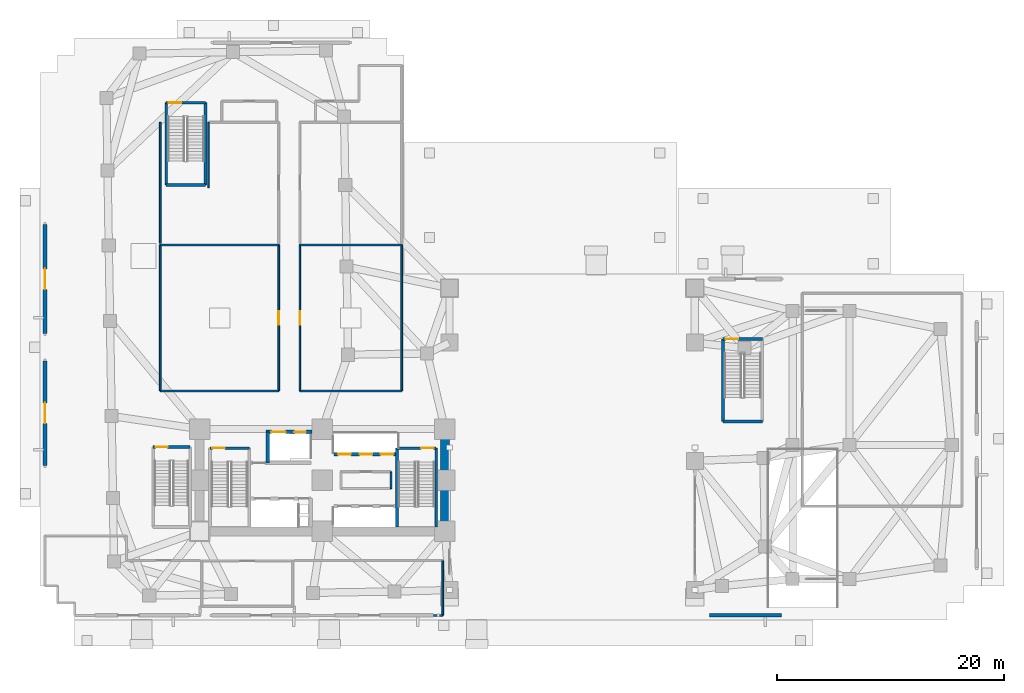
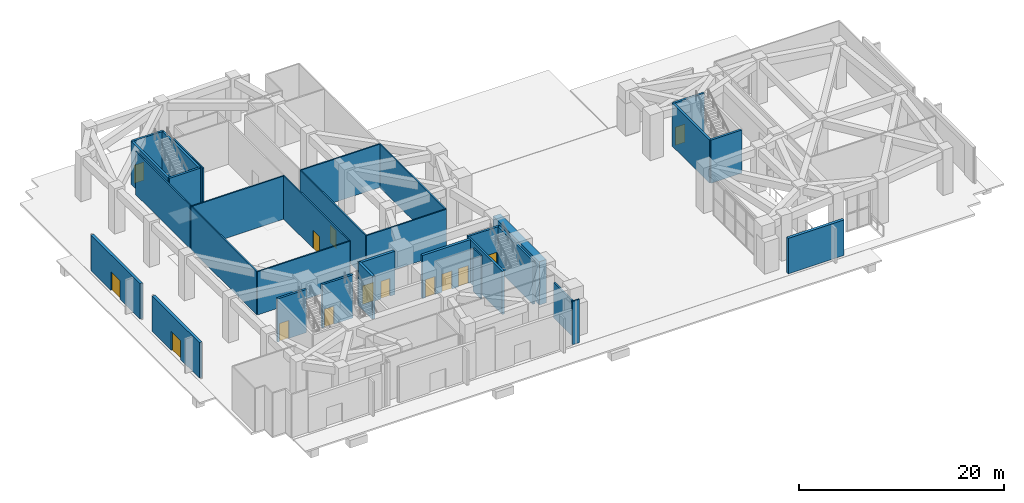
# One storey, part 11 of 19: 32 walls, 14 doors, 14 openings.
"""IFC4 building model written with IfcOpenShell, lengths in metres."""

from ifc_helpers import new_model, si_unit, direction, frame, frame_2d, origin, place, context, subcontext, project, spatial, rectangle, extrude, material, layer, layer_set, type_object, element, fill, save


model = new_model("IFC4")

# Units and contexts
model_context = context("Model", 3, precision=1e-05, world=origin(), true_north=direction((0.0, 1.0)))
body_context = subcontext(model_context, "Body", "Model", "MODEL_VIEW")
ifc_project = project(units=[si_unit("LENGTHUNIT", "METRE"), si_unit("AREAUNIT", "SQUARE_METRE"), si_unit("VOLUMEUNIT", "CUBIC_METRE"), si_unit("PLANEANGLEUNIT", "RADIAN"), si_unit("MASSUNIT", "GRAM", prefix="KILO")], contexts=[model_context])

# Site, building, storey
site_placement = place(None, origin())
site = spatial("IfcSite", under=ifc_project, at=site_placement, CompositionType="ELEMENT")
building_placement = place(site_placement, origin())
building = spatial("IfcBuilding", under=site, at=building_placement, Name="Gaonmaruhae Medical Tower", CompositionType="ELEMENT")
storey_placement = place(building_placement, origin())
storey = spatial("IfcBuildingStorey", under=building, at=storey_placement, Name="L00", CompositionType="ELEMENT", Elevation=0.0)

# Walls
ifc_material_1 = material(Name="Concrete C60/75", Category="concrete")
ifc_layer_1 = layer(ifc_material_1, 0.800048828125)
ifc_layer_set_1 = layer_set([ifc_layer_1], Name="Concrete C60/75")
wall_type_1 = type_object("IfcWallType", Name="CW-800 Lower Core Shear Wall", PredefinedType="SHEAR", material=ifc_layer_set_1)
wall_1_placement = place(storey_placement, frame((35.60009765625, 7.800048828125, 0.0), z_axis=(0.0, 0.0, 1.0), x_axis=(0.0, 1.0, 0.0)))
element("IfcWall", 1, at=wall_1_placement, inside=storey, type_object=wall_type_1, Name="L00 Core Shear Wall CSW-E1", PredefinedType="SHEAR", context=body_context, shape_type="SweptSolid", body=[
    extrude(rectangle(XDim=9.0, YDim=0.800048828125, at=frame_2d((4.5, 0.0))), origin(), (0.0, 0.0, 1.0), 5.14990234375),
])
ifc_material_2 = material(Name="Precast concrete C45/55", Category="concrete")
ifc_layer_2 = layer(ifc_material_2, 0.320068359375)
ifc_layer_set_2 = layer_set([ifc_layer_2], Name="Precast concrete C45/55")
wall_type_2 = type_object("IfcWallType", Name="EW-320 Lower Precast Masonry-Frame Facade Wall", PredefinedType="SOLIDWALL", material=ifc_layer_set_2)
wall_2_placement = place(storey_placement, frame((65.199951171875, 0.39990234375, 0.0), z_axis=(0.0, 0.0, 1.0), x_axis=(-1.0, 0.0, 0.0)))
element("IfcWall", 2, at=wall_2_placement, inside=storey, type_object=wall_type_2, Name="L00 Precast Facade Wall PB-S4", PredefinedType="SOLIDWALL", context=body_context, shape_type="SweptSolid", body=[
    extrude(rectangle(XDim=6.300048828125, YDim=0.320068359375, at=frame_2d((3.14990234375, 0.0))), origin(), (0.0, 0.0, 1.0), 4.22998046875),
])

# Wall, opening, door
wall_3_placement = place(storey_placement, frame((0.39990234375, 13.60009765625, 0.0), z_axis=(0.0, 0.0, 1.0), x_axis=(0.0, 1.0, 0.0)))
wall_3 = element("IfcWall", 3, at=wall_3_placement, inside=storey, type_object=wall_type_2, Name="L00 Precast Facade Wall PB-W1", PredefinedType="SOLIDWALL", context=body_context, shape_type="SweptSolid", body=[
    extrude(rectangle(XDim=9.199951171875, YDim=0.320068359375, at=frame_2d((4.60009765625, 0.0))), origin(), (0.0, 0.0, 1.0), 4.22998046875),
])
opening_1_placement = place(wall_3_placement, frame((3.699951171875, 0.0, 0.0)))
opening_1 = element("IfcOpeningElement", 4, at=opening_1_placement, cuts=wall_3, Name="Opening EX-D1", PredefinedType="OPENING", context=body_context, shape_type="SweptSolid", body=[
    extrude(rectangle(XDim=1.800048828125, YDim=2.25, at=frame_2d((0.89990234375, 1.125))), frame((0.0, 0.169921875, 0.0), z_axis=(0.0, -1.0, 0.0), x_axis=(1.0, 0.0, 0.0)), (0.0, 0.0, 1.0), 0.340087890625),
])
ifc_material_3 = material(Name="Anodised aluminium and toughened safety glass", Category="aluminium")
door_type_1 = type_object("IfcDoorType", Name="EX-D1 Ground Final Exit Double Door 1800x2250", OperationType="NOTDEFINED", PredefinedType="DOOR", material=ifc_material_3)
door_1_placement = place(opening_1_placement, origin())
door_1 = element("IfcDoor", 5, at=door_1_placement, inside=storey, type_object=door_type_1, Name="L00 Final Pedestrian Exit Door EX-05", OperationType="DOUBLE_DOOR_SINGLE_SWING", OverallHeight=2.25, OverallWidth=1.800048828125, PredefinedType="DOOR", context=body_context, shape_type="SweptSolid", body=[
    extrude(rectangle(XDim=1.800048828125, YDim=2.25, at=frame_2d((0.89990234375, 1.125))), frame((0.0, 0.02490234375, 0.0), z_axis=(0.0, -1.0, 0.0), x_axis=(1.0, 0.0, 0.0)), (0.0, 0.0, 1.0), 0.050048828125),
])
fill(opening_1, door_1)

wall_4_placement = place(storey_placement, frame((0.39990234375, 25.199951171875, 0.0), z_axis=(0.0, 0.0, 1.0), x_axis=(0.0, 1.0, 0.0)))
wall_4 = element("IfcWall", 6, at=wall_4_placement, inside=storey, type_object=wall_type_2, Name="L00 Precast Facade Wall PB-W2", PredefinedType="SOLIDWALL", context=body_context, shape_type="SweptSolid", body=[
    extrude(rectangle(XDim=9.60009765625, YDim=0.320068359375, at=frame_2d((4.800048828125, 0.0))), origin(), (0.0, 0.0, 1.0), 4.22998046875),
])
opening_2_placement = place(wall_4_placement, frame((3.89990234375, 0.0, 0.0)))
opening_2 = element("IfcOpeningElement", 7, at=opening_2_placement, cuts=wall_4, Name="Opening EX-D1", PredefinedType="OPENING", context=body_context, shape_type="SweptSolid", body=[
    extrude(rectangle(XDim=1.800048828125, YDim=2.25, at=frame_2d((0.89990234375, 1.125))), frame((0.0, 0.169921875, 0.0), z_axis=(0.0, -1.0, 0.0), x_axis=(1.0, 0.0, 0.0)), (0.0, 0.0, 1.0), 0.340087890625),
])
door_2_placement = place(opening_2_placement, origin())
door_2 = element("IfcDoor", 8, at=door_2_placement, inside=storey, type_object=door_type_1, Name="L00 Final Pedestrian Exit Door EX-06", OperationType="DOUBLE_DOOR_SINGLE_SWING", OverallHeight=2.25, OverallWidth=1.800048828125, PredefinedType="DOOR", context=body_context, shape_type="SweptSolid", body=[
    extrude(rectangle(XDim=1.800048828125, YDim=2.25, at=frame_2d((0.89990234375, 1.125))), frame((0.0, 0.02490234375, 0.0), z_axis=(0.0, -1.0, 0.0), x_axis=(1.0, 0.0, 0.0)), (0.0, 0.0, 1.0), 0.050048828125),
])
fill(opening_2, door_2)

# Walls
ifc_material_4 = material(Name="Gypsum board partition", Category="gypsum")
ifc_layer_3 = layer(ifc_material_4, 0.14990234375)
ifc_layer_set_3 = layer_set([ifc_layer_3], Name="Gypsum board partition")
wall_type_3 = type_object("IfcWallType", Name="PW-150 Rated Clinical Corridor Partition", PredefinedType="PARTITIONING", material=ifc_layer_set_3)
wall_5_placement = place(storey_placement, frame((30.85009765625, 13.0400390625, 0.0), z_axis=(0.0, 0.0, 1.0), x_axis=(0.0, -1.0, 0.0)))
element("IfcWall", 9, at=wall_5_placement, inside=storey, type_object=wall_type_3, Name="L00 Interior Partition L00-CS1-3", PredefinedType="PARTITIONING", context=body_context, shape_type="SweptSolid", body=[
    extrude(rectangle(XDim=1.47998046875, YDim=0.14990234375, at=frame_2d((0.739990234375, 0.0))), origin(), (0.0, 0.0, 1.0), 5.14990234375),
])
wall_6_placement = place(storey_placement, frame((35.39990234375, 0.39990234375, 0.0), z_axis=(0.0, 0.0, 1.0), x_axis=(-1.0, 0.0, 0.0)))
element("IfcWall", 10, at=wall_6_placement, inside=storey, type_object=wall_type_3, Name="L00 Interior Partition L00-TRG-20", PredefinedType="PARTITIONING", context=body_context, shape_type="SweptSolid", body=[
    extrude(rectangle(XDim=0.7998046875, YDim=0.14990234375, at=frame_2d((0.39990234375, 0.0))), origin(), (0.0, 0.0, 1.0), 5.14990234375),
])
wall_7_placement = place(storey_placement, frame((35.39990234375, 5.219970703125, 0.0), z_axis=(0.0, 0.0, 1.0), x_axis=(0.0, -1.0, 0.0)))
element("IfcWall", 11, at=wall_7_placement, inside=storey, type_object=wall_type_3, Name="L00 Interior Partition L00-TRG-24", PredefinedType="PARTITIONING", context=body_context, shape_type="SweptSolid", body=[
    extrude(rectangle(XDim=4.820068359375, YDim=0.14990234375, at=frame_2d((2.41015625, 0.0))), origin(), (0.0, 0.0, 1.0), 4.235107421875),
])
wall_8_placement = place(storey_placement, frame((10.550048828125, 20.14990234375, 0.0), z_axis=(0.0, 0.0, 1.0), x_axis=(0.0, 1.0, 0.0)))
element("IfcWall", 12, at=wall_8_placement, inside=storey, type_object=wall_type_3, Name="L00 Interior Partition L00-ADM-25", PredefinedType="PARTITIONING", context=body_context, shape_type="SweptSolid", body=[
    extrude(rectangle(XDim=12.85009765625, YDim=0.14990234375, at=frame_2d((6.425048828125, 0.0))), origin(), (0.0, 0.0, 1.0), 5.14990234375),
])
wall_9_placement = place(storey_placement, frame((10.550048828125, 33.0, 0.0), z_axis=(0.0, 0.0, 1.0), x_axis=(1.0, 0.0, 0.0)))
element("IfcWall", 13, at=wall_9_placement, inside=storey, type_object=wall_type_3, Name="L00 Interior Partition L00-ADM-26", PredefinedType="PARTITIONING", context=body_context, shape_type="SweptSolid", body=[
    extrude(rectangle(XDim=10.419921875, YDim=0.14990234375, at=frame_2d((5.2099609375, 0.0))), origin(), (0.0, 0.0, 1.0), 5.14990234375),
])

# Wall, opening, door
wall_10_placement = place(storey_placement, frame((20.969970703125, 33.0, 0.0), z_axis=(0.0, 0.0, 1.0), x_axis=(0.0, -1.0, 0.0)))
wall_10 = element("IfcWall", 14, at=wall_10_placement, inside=storey, type_object=wall_type_3, Name="L00 Interior Partition L00-ADM-27", PredefinedType="PARTITIONING", context=body_context, shape_type="SweptSolid", body=[
    extrude(rectangle(XDim=12.85009765625, YDim=0.14990234375, at=frame_2d((6.425048828125, 0.0))), origin(), (0.0, 0.0, 1.0), 5.14990234375),
])
opening_3_placement = place(wall_10_placement, frame((5.824951171875, 0.0, 0.0)))
opening_3 = element("IfcOpeningElement", 15, at=opening_3_placement, cuts=wall_10, Name="Opening CD-02", PredefinedType="OPENING", context=body_context, shape_type="SweptSolid", body=[
    extrude(rectangle(XDim=1.199951171875, YDim=2.14990234375, at=frame_2d((0.60009765625, 1.074951171875))), frame((0.0, 0.0849609375, 0.0), z_axis=(0.0, -1.0, 0.0), x_axis=(1.0, 0.0, 0.0)), (0.0, 0.0, 1.0), 0.169921875),
])
ifc_material_5 = material(Name="Antimicrobial laminate timber fire door", Category="wood")
door_type_2 = type_object("IfcDoorType", Name="CD-02 Clinical Treatment & Procedure Door 1200x2150", OperationType="NOTDEFINED", PredefinedType="DOOR", material=ifc_material_5)
door_3_placement = place(opening_3_placement, origin())
door_3 = element("IfcDoor", 16, at=door_3_placement, inside=storey, type_object=door_type_2, Name="L00 Main Hospital Registration Hall Door", OperationType="SINGLE_SWING_RIGHT", OverallHeight=2.14990234375, OverallWidth=1.199951171875, PredefinedType="DOOR", context=body_context, shape_type="SweptSolid", body=[
    extrude(rectangle(XDim=1.199951171875, YDim=2.14990234375, at=frame_2d((0.60009765625, 1.074951171875))), frame((0.0, 0.02490234375, 0.0), z_axis=(0.0, -1.0, 0.0), x_axis=(1.0, 0.0, 0.0)), (0.0, 0.0, 1.0), 0.050048828125),
])
fill(opening_3, door_3)

# Walls
wall_11_placement = place(storey_placement, frame((20.969970703125, 20.14990234375, 0.0), z_axis=(0.0, 0.0, 1.0), x_axis=(-1.0, 0.0, 0.0)))
element("IfcWall", 17, at=wall_11_placement, inside=storey, type_object=wall_type_3, Name="L00 Interior Partition L00-ADM-28", PredefinedType="PARTITIONING", context=body_context, shape_type="SweptSolid", body=[
    extrude(rectangle(XDim=10.419921875, YDim=0.14990234375, at=frame_2d((5.2099609375, 0.0))), origin(), (0.0, 0.0, 1.0), 5.14990234375),
])
wall_12_placement = place(storey_placement, frame((31.800048828125, 33.0, 0.0), z_axis=(0.0, 0.0, 1.0), x_axis=(0.0, -1.0, 0.0)))
element("IfcWall", 18, at=wall_12_placement, inside=storey, type_object=wall_type_3, Name="L00 Interior Partition L00-PHR-29", PredefinedType="PARTITIONING", context=body_context, shape_type="SweptSolid", body=[
    extrude(rectangle(XDim=12.85009765625, YDim=0.14990234375, at=frame_2d((6.425048828125, 0.0))), origin(), (0.0, 0.0, 1.0), 5.14990234375),
])
wall_13_placement = place(storey_placement, frame((31.800048828125, 20.14990234375, 0.0), z_axis=(0.0, 0.0, 1.0), x_axis=(-1.0, 0.0, 0.0)))
element("IfcWall", 19, at=wall_13_placement, inside=storey, type_object=wall_type_3, Name="L00 Interior Partition L00-PHR-30", PredefinedType="PARTITIONING", context=body_context, shape_type="SweptSolid", body=[
    extrude(rectangle(XDim=8.969970703125, YDim=0.14990234375, at=frame_2d((4.48486328125, 0.0))), origin(), (0.0, 0.0, 1.0), 5.14990234375),
])

# Wall, opening, door
wall_14_placement = place(storey_placement, frame((22.830078125, 20.14990234375, 0.0), z_axis=(0.0, 0.0, 1.0), x_axis=(0.0, 1.0, 0.0)))
wall_14 = element("IfcWall", 20, at=wall_14_placement, inside=storey, type_object=wall_type_3, Name="L00 Interior Partition L00-PHR-31", PredefinedType="PARTITIONING", context=body_context, shape_type="SweptSolid", body=[
    extrude(rectangle(XDim=12.85009765625, YDim=0.14990234375, at=frame_2d((6.425048828125, 0.0))), origin(), (0.0, 0.0, 1.0), 5.14990234375),
])
opening_4_placement = place(wall_14_placement, frame((5.824951171875, 0.0, 0.0)))
opening_4 = element("IfcOpeningElement", 21, at=opening_4_placement, cuts=wall_14, Name="Opening CD-02", PredefinedType="OPENING", context=body_context, shape_type="SweptSolid", body=[
    extrude(rectangle(XDim=1.199951171875, YDim=2.14990234375, at=frame_2d((0.60009765625, 1.074951171875))), frame((0.0, 0.0849609375, 0.0), z_axis=(0.0, -1.0, 0.0), x_axis=(1.0, 0.0, 0.0)), (0.0, 0.0, 1.0), 0.169921875),
])
door_4_placement = place(opening_4_placement, origin())
door_4 = element("IfcDoor", 22, at=door_4_placement, inside=storey, type_object=door_type_2, Name="L00 Outpatient Dispensing Pharmacy Suite Door", OperationType="SINGLE_SWING_LEFT", OverallHeight=2.14990234375, OverallWidth=1.199951171875, PredefinedType="DOOR", context=body_context, shape_type="SweptSolid", body=[
    extrude(rectangle(XDim=1.199951171875, YDim=2.14990234375, at=frame_2d((0.60009765625, 1.074951171875))), frame((0.0, 0.02490234375, 0.0), z_axis=(0.0, -1.0, 0.0), x_axis=(1.0, 0.0, 0.0)), (0.0, 0.0, 1.0), 0.050048828125),
])
fill(opening_4, door_4)

# Walls
wall_15_placement = place(storey_placement, frame((22.830078125, 33.0, 0.0), z_axis=(0.0, 0.0, 1.0), x_axis=(1.0, 0.0, 0.0)))
element("IfcWall", 23, at=wall_15_placement, inside=storey, type_object=wall_type_3, Name="L00 Interior Partition L00-PHR-32", PredefinedType="PARTITIONING", context=body_context, shape_type="SweptSolid", body=[
    extrude(rectangle(XDim=8.969970703125, YDim=0.14990234375, at=frame_2d((4.48486328125, 0.0))), origin(), (0.0, 0.0, 1.0), 5.14990234375),
])
wall_16_placement = place(storey_placement, frame((10.550048828125, 33.14990234375, 0.0), z_axis=(0.0, 0.0, 1.0), x_axis=(0.0, 1.0, 0.0)))
element("IfcWall", 24, at=wall_16_placement, inside=storey, type_object=wall_type_3, Name="L00 Interior Partition L00-OBS1-33", PredefinedType="PARTITIONING", context=body_context, shape_type="SweptSolid", body=[
    extrude(rectangle(XDim=10.650146484375, YDim=0.14990234375, at=frame_2d((5.3251953125, 0.0))), origin(), (0.0, 0.0, 1.0), 5.14990234375),
])
wall_17_placement = place(storey_placement, frame((14.800048828125, 38.050048828125, 0.0), z_axis=(0.0, 0.0, 1.0), x_axis=(0.0, 1.0, 0.0)))
element("IfcWall", 25, at=wall_17_placement, inside=storey, type_object=wall_type_3, Name="L00 Interior Partition L00-OBS1-34", PredefinedType="PARTITIONING", context=body_context, shape_type="SweptSolid", body=[
    extrude(rectangle(XDim=5.75, YDim=0.14990234375, at=frame_2d((2.875, 0.0))), origin(), (0.0, 0.0, 1.0), 5.14990234375),
])

# Wall, opening, door
ifc_material_6 = material(Name="Concrete C50/60", Category="concrete")
ifc_layer_4 = layer(ifc_material_6, 0.239990234375)
ifc_layer_set_4 = layer_set([ifc_layer_4], Name="Concrete C50/60")
wall_type_4 = type_object("IfcWallType", Name="SW-240 Dogleg Stair Tight Shaft Wall", PredefinedType="SOLIDWALL", material=ifc_layer_set_4)
wall_18_placement = place(storey_placement, frame((14.919921875, 15.1201171875, 0.0), z_axis=(0.0, 0.0, 1.0), x_axis=(1.0, 0.0, 0.0)))
wall_18 = element("IfcWall", 26, at=wall_18_placement, inside=storey, type_object=wall_type_4, Name="L00 ST-01 Stair Shaft Wall SHW-ST-01-N", PredefinedType="SOLIDWALL", context=body_context, shape_type="SweptSolid", body=[
    extrude(rectangle(XDim=3.4599609375, YDim=0.239990234375, at=frame_2d((1.72998046875, 0.0))), origin(), (0.0, 0.0, 1.0), 5.14990234375),
])
opening_5_placement = place(wall_18_placement, frame((0.219970703125, 0.0, 0.0)))
opening_5 = element("IfcOpeningElement", 27, at=opening_5_placement, cuts=wall_18, Name="Opening FD-01", PredefinedType="OPENING", context=body_context, shape_type="SweptSolid", body=[
    extrude(rectangle(XDim=1.10009765625, YDim=2.14990234375, at=frame_2d((0.550048828125, 1.074951171875))), frame((0.0, 0.1298828125, 0.0), z_axis=(0.0, -1.0, 0.0), x_axis=(1.0, 0.0, 0.0)), (0.0, 0.0, 1.0), 0.260009765625),
])
ifc_material_7 = material(Name="Powder-coated steel fire door", Category="steel")
door_type_3 = type_object("IfcDoorType", Name="FD-01 Escape Stair Protected Fire Door 1100x2150", OperationType="NOTDEFINED", PredefinedType="DOOR", material=ifc_material_7)
door_5_placement = place(opening_5_placement, origin())
door_5 = element("IfcDoor", 28, at=door_5_placement, inside=storey, type_object=door_type_3, Name="L00 ST-01 Protected Escape Stair Door", OperationType="SINGLE_SWING_RIGHT", OverallHeight=2.14990234375, OverallWidth=1.10009765625, PredefinedType="DOOR", context=body_context, shape_type="SweptSolid", body=[
    extrude(rectangle(XDim=1.10009765625, YDim=2.14990234375, at=frame_2d((0.550048828125, 1.074951171875))), frame((0.0, 0.02490234375, 0.0), z_axis=(0.0, -1.0, 0.0), x_axis=(1.0, 0.0, 0.0)), (0.0, 0.0, 1.0), 0.050048828125),
])
fill(opening_5, door_5)

wall_19_placement = place(storey_placement, frame((31.3701171875, 15.1201171875, 0.0), z_axis=(0.0, 0.0, 1.0), x_axis=(1.0, 0.0, 0.0)))
wall_19 = element("IfcWall", 29, at=wall_19_placement, inside=storey, type_object=wall_type_4, Name="L00 ST-02 Stair Shaft Wall SHW-ST-02-N", PredefinedType="SOLIDWALL", context=body_context, shape_type="SweptSolid", body=[
    extrude(rectangle(XDim=3.4599609375, YDim=0.239990234375, at=frame_2d((1.72998046875, 0.0))), origin(), (0.0, 0.0, 1.0), 5.14990234375),
])
opening_6_placement = place(wall_19_placement, frame((2.139892578125, 0.0, 0.0)))
opening_6 = element("IfcOpeningElement", 30, at=opening_6_placement, cuts=wall_19, Name="Opening FD-01", PredefinedType="OPENING", context=body_context, shape_type="SweptSolid", body=[
    extrude(rectangle(XDim=1.10009765625, YDim=2.14990234375, at=frame_2d((0.550048828125, 1.074951171875))), frame((0.0, 0.1298828125, 0.0), z_axis=(0.0, -1.0, 0.0), x_axis=(1.0, 0.0, 0.0)), (0.0, 0.0, 1.0), 0.260009765625),
])
door_6_placement = place(opening_6_placement, origin())
door_6 = element("IfcDoor", 31, at=door_6_placement, inside=storey, type_object=door_type_3, Name="L00 ST-02 Protected Escape Stair Door", OperationType="SINGLE_SWING_LEFT", OverallHeight=2.14990234375, OverallWidth=1.10009765625, PredefinedType="DOOR", context=body_context, shape_type="SweptSolid", body=[
    extrude(rectangle(XDim=1.10009765625, YDim=2.14990234375, at=frame_2d((0.550048828125, 1.074951171875))), frame((0.0, 0.02490234375, 0.0), z_axis=(0.0, -1.0, 0.0), x_axis=(1.0, 0.0, 0.0)), (0.0, 0.0, 1.0), 0.050048828125),
])
fill(opening_6, door_6)

# Walls
for number, where, z_axis, x_axis, name in (
    (32, (34.830078125, 15.1201171875, 0.0), (0.0, 0.0, 1.0), (0.0, -1.0, 0.0), "L00 ST-02 Stair Shaft Wall SHW-ST-02-E"),
    (33, (31.3701171875, 8.199951171875, 0.0), (0.0, 0.0, 1.0), (0.0, 1.0, 0.0), "L00 ST-02 Stair Shaft Wall SHW-ST-02-W"),
):
    element("IfcWall", number, at=place(storey_placement, frame(where, z_axis=z_axis, x_axis=x_axis)), inside=storey, type_object=wall_type_4, Name=name, PredefinedType="SOLIDWALL", context=body_context, shape_type="SweptSolid", body=[
        extrude(rectangle(XDim=6.920166015625, YDim=0.239990234375, at=frame_2d((3.4599609375, 0.0))), origin(), (0.0, 0.0, 1.0), 5.14990234375),
    ])

# Wall, opening, door
wall_20_placement = place(storey_placement, frame((9.919921875, 15.219970703125, 0.0), z_axis=(0.0, 0.0, 1.0), x_axis=(1.0, 0.0, 0.0)))
wall_20 = element("IfcWall", 34, at=wall_20_placement, inside=storey, type_object=wall_type_4, Name="L00 ST-03 Stair Shaft Wall SHW-ST-03-N", PredefinedType="SOLIDWALL", context=body_context, shape_type="SweptSolid", body=[
    extrude(rectangle(XDim=3.260009765625, YDim=0.239990234375, at=frame_2d((1.6298828125, 0.0))), origin(), (0.0, 0.0, 1.0), 5.14990234375),
])
opening_7_placement = place(wall_20_placement, frame((0.219970703125, 0.0, 0.0)))
opening_7 = element("IfcOpeningElement", 35, at=opening_7_placement, cuts=wall_20, Name="Opening FD-02", PredefinedType="OPENING", context=body_context, shape_type="SweptSolid", body=[
    extrude(rectangle(XDim=1.050048828125, YDim=2.14990234375, at=frame_2d((0.52490234375, 1.074951171875))), frame((0.0, 0.1298828125, 0.0), z_axis=(0.0, -1.0, 0.0), x_axis=(1.0, 0.0, 0.0)), (0.0, 0.0, 1.0), 0.260009765625),
])
door_type_4 = type_object("IfcDoorType", Name="FD-02 Secondary Stair Fire Door 1050x2150", OperationType="NOTDEFINED", PredefinedType="DOOR", material=ifc_material_7)
door_7_placement = place(opening_7_placement, origin())
door_7 = element("IfcDoor", 36, at=door_7_placement, inside=storey, type_object=door_type_4, Name="L00 ST-03 Protected Escape Stair Door", OperationType="SINGLE_SWING_RIGHT", OverallHeight=2.14990234375, OverallWidth=1.050048828125, PredefinedType="DOOR", context=body_context, shape_type="SweptSolid", body=[
    extrude(rectangle(XDim=1.050048828125, YDim=2.14990234375, at=frame_2d((0.52490234375, 1.074951171875))), frame((0.0, 0.02490234375, 0.0), z_axis=(0.0, -1.0, 0.0), x_axis=(1.0, 0.0, 0.0)), (0.0, 0.0, 1.0), 0.050048828125),
])
fill(opening_7, door_7)

wall_21_placement = place(storey_placement, frame((60.070068359375, 24.719970703125, 0.0), z_axis=(0.0, 0.0, 1.0), x_axis=(1.0, 0.0, 0.0)))
wall_21 = element("IfcWall", 37, at=wall_21_placement, inside=storey, type_object=wall_type_4, Name="L00 ST-04 Stair Shaft Wall SHW-ST-04-N", PredefinedType="SOLIDWALL", context=body_context, shape_type="SweptSolid", body=[
    extrude(rectangle(XDim=3.4599609375, YDim=0.239990234375, at=frame_2d((1.72998046875, 0.0))), origin(), (0.0, 0.0, 1.0), 5.14990234375),
])
opening_8_placement = place(wall_21_placement, frame((0.219970703125, 0.0, 0.0)))
opening_8 = element("IfcOpeningElement", 38, at=opening_8_placement, cuts=wall_21, Name="Opening FD-01", PredefinedType="OPENING", context=body_context, shape_type="SweptSolid", body=[
    extrude(rectangle(XDim=1.10009765625, YDim=2.14990234375, at=frame_2d((0.550048828125, 1.074951171875))), frame((0.0, 0.1298828125, 0.0), z_axis=(0.0, -1.0, 0.0), x_axis=(1.0, 0.0, 0.0)), (0.0, 0.0, 1.0), 0.260009765625),
])
door_8_placement = place(opening_8_placement, origin())
door_8 = element("IfcDoor", 39, at=door_8_placement, inside=storey, type_object=door_type_3, Name="L00 ST-04 Protected Escape Stair Door", OperationType="SINGLE_SWING_LEFT", OverallHeight=2.14990234375, OverallWidth=1.10009765625, PredefinedType="DOOR", context=body_context, shape_type="SweptSolid", body=[
    extrude(rectangle(XDim=1.10009765625, YDim=2.14990234375, at=frame_2d((0.550048828125, 1.074951171875))), frame((0.0, 0.02490234375, 0.0), z_axis=(0.0, -1.0, 0.0), x_axis=(1.0, 0.0, 0.0)), (0.0, 0.0, 1.0), 0.050048828125),
])
fill(opening_8, door_8)

# Walls
wall_22_placement = place(storey_placement, frame((63.530029296875, 17.469970703125, 0.0), z_axis=(0.0, 0.0, 1.0), x_axis=(-1.0, 0.0, 0.0)))
element("IfcWall", 40, at=wall_22_placement, inside=storey, type_object=wall_type_4, Name="L00 ST-04 Stair Shaft Wall SHW-ST-04-S", PredefinedType="SOLIDWALL", context=body_context, shape_type="SweptSolid", body=[
    extrude(rectangle(XDim=3.4599609375, YDim=0.239990234375, at=frame_2d((1.72998046875, 0.0))), origin(), (0.0, 0.0, 1.0), 5.14990234375),
])
wall_23_placement = place(storey_placement, frame((60.070068359375, 17.469970703125, 0.0), z_axis=(0.0, 0.0, 1.0), x_axis=(0.0, 1.0, 0.0)))
element("IfcWall", 41, at=wall_23_placement, inside=storey, type_object=wall_type_4, Name="L00 ST-04 Stair Shaft Wall SHW-ST-04-W", PredefinedType="SOLIDWALL", context=body_context, shape_type="SweptSolid", body=[
    extrude(rectangle(XDim=7.25, YDim=0.239990234375, at=frame_2d((3.625, 0.0))), origin(), (0.0, 0.0, 1.0), 5.14990234375),
])

# Wall, opening, door
wall_24_placement = place(storey_placement, frame((11.070068359375, 45.52001953125, 0.0), z_axis=(0.0, 0.0, 1.0), x_axis=(1.0, 0.0, 0.0)))
wall_24 = element("IfcWall", 42, at=wall_24_placement, inside=storey, type_object=wall_type_4, Name="L00 ST-05 Stair Shaft Wall SHW-ST-05-N", PredefinedType="SOLIDWALL", context=body_context, shape_type="SweptSolid", body=[
    extrude(rectangle(XDim=3.4599609375, YDim=0.239990234375, at=frame_2d((1.72998046875, 0.0))), origin(), (0.0, 0.0, 1.0), 5.14990234375),
])
opening_9_placement = place(wall_24_placement, frame((0.219970703125, 0.0, 0.0)))
opening_9 = element("IfcOpeningElement", 43, at=opening_9_placement, cuts=wall_24, Name="Opening FD-01", PredefinedType="OPENING", context=body_context, shape_type="SweptSolid", body=[
    extrude(rectangle(XDim=1.10009765625, YDim=2.14990234375, at=frame_2d((0.550048828125, 1.074951171875))), frame((0.0, 0.1298828125, 0.0), z_axis=(0.0, -1.0, 0.0), x_axis=(1.0, 0.0, 0.0)), (0.0, 0.0, 1.0), 0.260009765625),
])
door_9_placement = place(opening_9_placement, origin())
door_9 = element("IfcDoor", 44, at=door_9_placement, inside=storey, type_object=door_type_3, Name="L00 ST-05 Protected Escape Stair Door", OperationType="SINGLE_SWING_RIGHT", OverallHeight=2.14990234375, OverallWidth=1.10009765625, PredefinedType="DOOR", context=body_context, shape_type="SweptSolid", body=[
    extrude(rectangle(XDim=1.10009765625, YDim=2.14990234375, at=frame_2d((0.550048828125, 1.074951171875))), frame((0.0, 0.02490234375, 0.0), z_axis=(0.0, -1.0, 0.0), x_axis=(1.0, 0.0, 0.0)), (0.0, 0.0, 1.0), 0.050048828125),
])
fill(opening_9, door_9)

# Walls
wall_25_placement = place(storey_placement, frame((14.530029296875, 45.52001953125, 0.0), z_axis=(0.0, 0.0, 1.0), x_axis=(0.0, -1.0, 0.0)))
element("IfcWall", 45, at=wall_25_placement, inside=storey, type_object=wall_type_4, Name="L00 ST-05 Stair Shaft Wall SHW-ST-05-E", PredefinedType="SOLIDWALL", context=body_context, shape_type="SweptSolid", body=[
    extrude(rectangle(XDim=7.25, YDim=0.239990234375, at=frame_2d((3.625, 0.0))), origin(), (0.0, 0.0, 1.0), 5.14990234375),
])
wall_26_placement = place(storey_placement, frame((14.530029296875, 38.27001953125, 0.0), z_axis=(0.0, 0.0, 1.0), x_axis=(-1.0, 0.0, 0.0)))
element("IfcWall", 46, at=wall_26_placement, inside=storey, type_object=wall_type_4, Name="L00 ST-05 Stair Shaft Wall SHW-ST-05-S", PredefinedType="SOLIDWALL", context=body_context, shape_type="SweptSolid", body=[
    extrude(rectangle(XDim=3.4599609375, YDim=0.239990234375, at=frame_2d((1.72998046875, 0.0))), origin(), (0.0, 0.0, 1.0), 5.14990234375),
])
wall_27_placement = place(storey_placement, frame((11.070068359375, 38.27001953125, 0.0), z_axis=(0.0, 0.0, 1.0), x_axis=(0.0, 1.0, 0.0)))
element("IfcWall", 47, at=wall_27_placement, inside=storey, type_object=wall_type_4, Name="L00 ST-05 Stair Shaft Wall SHW-ST-05-W", PredefinedType="SOLIDWALL", context=body_context, shape_type="SweptSolid", body=[
    extrude(rectangle(XDim=7.25, YDim=0.239990234375, at=frame_2d((3.625, 0.0))), origin(), (0.0, 0.0, 1.0), 5.14990234375),
])

# Wall, openings, doors
ifc_layer_5 = layer(ifc_material_6, 0.300048828125)
ifc_layer_set_5 = layer_set([ifc_layer_5], Name="Concrete C50/60")
wall_type_5 = type_object("IfcWallType", Name="SW-300 Stair & Lift Hoistway Shaft Wall", PredefinedType="SOLIDWALL", material=ifc_layer_set_5)
wall_28_placement = place(storey_placement, frame((19.85009765625, 16.550048828125, 0.0), z_axis=(0.0, 0.0, 1.0), x_axis=(1.0, 0.0, 0.0)))
wall_28 = element("IfcWall", 48, at=wall_28_placement, inside=storey, type_object=wall_type_5, Name="L00 Core Shear Wall CSW-NB", PredefinedType="SOLIDWALL", context=body_context, shape_type="SweptSolid", body=[
    extrude(rectangle(XDim=4.0498046875, YDim=0.300048828125, at=frame_2d((2.02490234375, 0.0))), origin(), (0.0, 0.0, 1.0), 5.14990234375),
])
opening_10_placement = place(wall_28_placement, frame((0.47509765625, 0.0, 0.0)))
opening_10 = element("IfcOpeningElement", 49, at=opening_10_placement, cuts=wall_28, Name="Opening LD-F1", PredefinedType="OPENING", context=body_context, shape_type="SweptSolid", body=[
    extrude(rectangle(XDim=1.25, YDim=2.179931640625, at=frame_2d((0.625, 1.08984375))), frame((0.0, 0.16015625, 0.0), z_axis=(0.0, -1.0, 0.0), x_axis=(1.0, 0.0, 0.0)), (0.0, 0.0, 1.0), 0.320068359375),
])
opening_11_placement = place(wall_28_placement, frame((2.489990234375, 0.0, 0.0)))
opening_11 = element("IfcOpeningElement", 50, at=opening_11_placement, cuts=wall_28, Name="Opening LD-S1", PredefinedType="OPENING", context=body_context, shape_type="SweptSolid", body=[
    extrude(rectangle(XDim=1.02001953125, YDim=2.1201171875, at=frame_2d((0.510009765625, 1.06005859375))), frame((0.0, 0.16015625, 0.0), z_axis=(0.0, -1.0, 0.0), x_axis=(1.0, 0.0, 0.0)), (0.0, 0.0, 1.0), 0.320068359375),
])
ifc_material_8 = material(Name="Brushed stainless steel 316L landing door", Category="steel")
door_type_5 = type_object("IfcDoorType", Name="LD-F1 Firefighting & Bed Lift Sliding Landing Door 1250x2180", OperationType="NOTDEFINED", PredefinedType="DOOR", material=ifc_material_8)
door_10_placement = place(opening_10_placement, origin())
door_10 = element("IfcDoor", 51, at=door_10_placement, inside=storey, type_object=door_type_5, Name="L00 Service/Bed Lift Landing Door BDL-01", OperationType="DOUBLE_DOOR_SLIDING", OverallHeight=2.179931640625, OverallWidth=1.25, PredefinedType="DOOR", context=body_context, shape_type="SweptSolid", body=[
    extrude(rectangle(XDim=1.25, YDim=2.179931640625, at=frame_2d((0.625, 1.08984375))), frame((0.0, 0.02490234375, 0.0), z_axis=(0.0, -1.0, 0.0), x_axis=(1.0, 0.0, 0.0)), (0.0, 0.0, 1.0), 0.050048828125),
])
fill(opening_10, door_10)
ifc_material_9 = material(Name="Brushed stainless steel 304 landing door", Category="steel")
door_type_6 = type_object("IfcDoorType", Name="LD-S1 Service Lift Sliding Landing Door 1020x2120", OperationType="NOTDEFINED", PredefinedType="DOOR", material=ifc_material_9)
door_11_placement = place(opening_11_placement, origin())
door_11 = element("IfcDoor", 52, at=door_11_placement, inside=storey, type_object=door_type_6, Name="L00 Service/Bed Lift Landing Door SVL-01", OperationType="SLIDING_TO_LEFT", OverallHeight=2.1201171875, OverallWidth=1.02001953125, PredefinedType="DOOR", context=body_context, shape_type="SweptSolid", body=[
    extrude(rectangle(XDim=1.02001953125, YDim=2.1201171875, at=frame_2d((0.510009765625, 1.06005859375))), frame((0.0, 0.02490234375, 0.0), z_axis=(0.0, -1.0, 0.0), x_axis=(1.0, 0.0, 0.0)), (0.0, 0.0, 1.0), 0.050048828125),
])
fill(opening_11, door_11)

# Wall
wall_29_placement = place(storey_placement, frame((20.0, 13.820068359375, 0.0), z_axis=(0.0, 0.0, 1.0), x_axis=(0.0, 1.0, 0.0)))
element("IfcWall", 53, at=wall_29_placement, inside=storey, type_object=wall_type_5, Name="L00 Shaft Enclosure Wall SHW-BDW", PredefinedType="SOLIDWALL", context=body_context, shape_type="SweptSolid", body=[
    extrude(rectangle(XDim=2.72998046875, YDim=0.300048828125, at=frame_2d((1.364990234375, 0.0))), origin(), (0.0, 0.0, 1.0), 5.14990234375),
])

# Wall, openings, doors
wall_30_placement = place(storey_placement, frame((25.85009765625, 14.580078125, 0.0), z_axis=(0.0, 0.0, 1.0), x_axis=(1.0, 0.0, 0.0)))
wall_30 = element("IfcWall", 54, at=wall_30_placement, inside=storey, type_object=wall_type_5, Name="L00 Shaft Enclosure Wall SHW-PLN", PredefinedType="SOLIDWALL", context=body_context, shape_type="SweptSolid", body=[
    extrude(rectangle(XDim=5.449951171875, YDim=0.300048828125, at=frame_2d((2.72509765625, 0.0))), origin(), (0.0, 0.0, 1.0), 5.14990234375),
])
opening_12_placement = place(wall_30_placement, frame((0.340087890625, 0.0, 0.0)))
opening_12 = element("IfcOpeningElement", 55, at=opening_12_placement, cuts=wall_30, Name="Opening LD-P1", PredefinedType="OPENING", context=body_context, shape_type="SweptSolid", body=[
    extrude(rectangle(XDim=1.1201171875, YDim=2.14990234375, at=frame_2d((0.56005859375, 1.074951171875))), frame((0.0, 0.16015625, 0.0), z_axis=(0.0, -1.0, 0.0), x_axis=(1.0, 0.0, 0.0)), (0.0, 0.0, 1.0), 0.320068359375),
])
opening_13_placement = place(wall_30_placement, frame((2.239990234375, 0.0, 0.0)))
opening_13 = element("IfcOpeningElement", 56, at=opening_13_placement, cuts=wall_30, Name="Opening LD-P1", PredefinedType="OPENING", context=body_context, shape_type="SweptSolid", body=[
    extrude(rectangle(XDim=1.1201171875, YDim=2.14990234375, at=frame_2d((0.56005859375, 1.074951171875))), frame((0.0, 0.16015625, 0.0), z_axis=(0.0, -1.0, 0.0), x_axis=(1.0, 0.0, 0.0)), (0.0, 0.0, 1.0), 0.320068359375),
])
opening_14_placement = place(wall_30_placement, frame((4.090087890625, 0.0, 0.0)))
opening_14 = element("IfcOpeningElement", 57, at=opening_14_placement, cuts=wall_30, Name="Opening LD-P1", PredefinedType="OPENING", context=body_context, shape_type="SweptSolid", body=[
    extrude(rectangle(XDim=1.1201171875, YDim=2.14990234375, at=frame_2d((0.56005859375, 1.074951171875))), frame((0.0, 0.16015625, 0.0), z_axis=(0.0, -1.0, 0.0), x_axis=(1.0, 0.0, 0.0)), (0.0, 0.0, 1.0), 0.320068359375),
])
door_type_7 = type_object("IfcDoorType", Name="LD-P1 Passenger Lift Sliding Landing Door 1120x2150", OperationType="NOTDEFINED", PredefinedType="DOOR", material=ifc_material_9)
door_12_placement = place(opening_12_placement, origin())
door_12 = element("IfcDoor", 58, at=door_12_placement, inside=storey, type_object=door_type_7, Name="L00 Passenger Lift Landing Door PL-M1", OperationType="DOUBLE_DOOR_SLIDING", OverallHeight=2.14990234375, OverallWidth=1.1201171875, PredefinedType="DOOR", context=body_context, shape_type="SweptSolid", body=[
    extrude(rectangle(XDim=1.1201171875, YDim=2.14990234375, at=frame_2d((0.56005859375, 1.074951171875))), frame((0.0, 0.02490234375, 0.0), z_axis=(0.0, -1.0, 0.0), x_axis=(1.0, 0.0, 0.0)), (0.0, 0.0, 1.0), 0.050048828125),
])
fill(opening_12, door_12)
door_13_placement = place(opening_13_placement, origin())
door_13 = element("IfcDoor", 59, at=door_13_placement, inside=storey, type_object=door_type_7, Name="L00 Passenger Lift Landing Door PL-M2", OperationType="DOUBLE_DOOR_SLIDING", OverallHeight=2.14990234375, OverallWidth=1.1201171875, PredefinedType="DOOR", context=body_context, shape_type="SweptSolid", body=[
    extrude(rectangle(XDim=1.1201171875, YDim=2.14990234375, at=frame_2d((0.56005859375, 1.074951171875))), frame((0.0, 0.02490234375, 0.0), z_axis=(0.0, -1.0, 0.0), x_axis=(1.0, 0.0, 0.0)), (0.0, 0.0, 1.0), 0.050048828125),
])
fill(opening_13, door_13)
door_14_placement = place(opening_14_placement, origin())
door_14 = element("IfcDoor", 60, at=door_14_placement, inside=storey, type_object=door_type_7, Name="L00 Passenger Lift Landing Door PL-H2", OperationType="DOUBLE_DOOR_SLIDING", OverallHeight=2.14990234375, OverallWidth=1.1201171875, PredefinedType="DOOR", context=body_context, shape_type="SweptSolid", body=[
    extrude(rectangle(XDim=1.1201171875, YDim=2.14990234375, at=frame_2d((0.56005859375, 1.074951171875))), frame((0.0, 0.02490234375, 0.0), z_axis=(0.0, -1.0, 0.0), x_axis=(1.0, 0.0, 0.0)), (0.0, 0.0, 1.0), 0.050048828125),
])
fill(opening_14, door_14)

save(model, "model.ifc")
